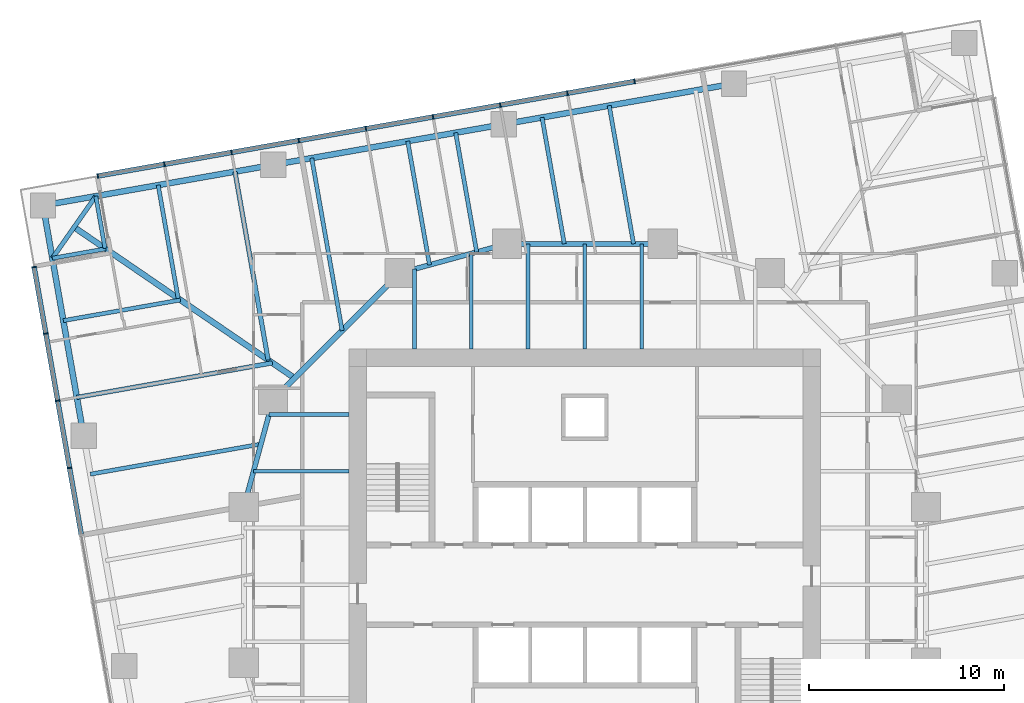
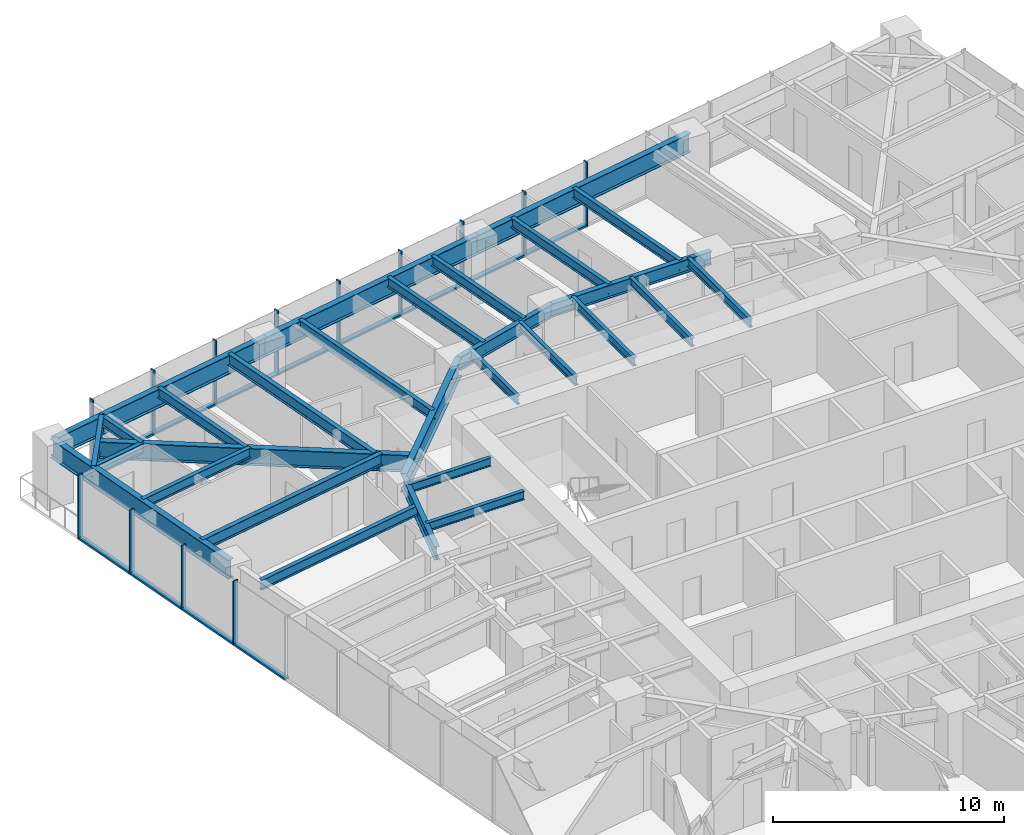
# One storey, part 5 of 14: 29 beams, 25 members, 2 elements without a shape of their own.
"""IFC4 building model written with IfcOpenShell, lengths in metres."""

import ifcopenshell
import ifcopenshell.guid

model = None  # the IFC model being written
_history = None  # IfcOwnerHistory: only IFC2X3 demands one
_inside = {}  # id of a spatial element -> (the spatial element, [elements in it])
_under = {}  # id of a project, library or spatial element -> (it, [spatial elements below it])
_declared = {}  # id of a project -> (the project, [libraries it declares])
_typed = {}  # id of a type object -> (the type object, [elements of that type])
_made_of = {}  # id of a material, layer set ... -> (it, [elements and type objects made of it])


def new_model(schema):
    """Start an empty IFC model of exactly this schema.

    Asked for "IFC4X3", IfcOpenShell would pick the latest addendum, in which some entities
    have other attributes; the version numbers below select the first issue.
    IFC2X3 requires an IfcOwnerHistory on every rooted entity: one is made here for all.
    """
    global model, _history
    if schema == "IFC4X3":
        model = ifcopenshell.file(schema_version=(4, 3, 0, 0))
    else:
        model = ifcopenshell.file(schema=schema)
    _inside.clear()
    _under.clear()
    _declared.clear()
    _typed.clear()
    _made_of.clear()
    _history = None
    if model.schema == "IFC2X3":
        org = make("IfcOrganization", Name="unknown")
        user = make(
            "IfcPersonAndOrganization",
            ThePerson=make("IfcPerson", FamilyName="unknown"),
            TheOrganization=org,
        )
        app = make(
            "IfcApplication",
            ApplicationDeveloper=org,
            Version="unknown",
            ApplicationFullName="unknown",
            ApplicationIdentifier="unknown",
        )
        _history = make(
            "IfcOwnerHistory",
            OwningUser=user,
            OwningApplication=app,
            ChangeAction="ADDED",
            CreationDate=0,
        )
    return model


def make(cls, **values):
    """One entity of the class cls with the attributes given. An attribute that is None is left unset."""
    return model.create_entity(
        cls, **{name: value for name, value in values.items() if value is not None}
    )


def rooted(cls, **values):
    """An entity with a GlobalId (a new one), such as an element, a storey or a relation."""
    return make(cls, GlobalId=ifcopenshell.guid.new(), OwnerHistory=_history, **values)


def si_unit(unit_type, name, prefix=None):
    """IfcSIUnit, for example si_unit("LENGTHUNIT", "METRE", prefix="MILLI")."""
    return make("IfcSIUnit", UnitType=unit_type, Prefix=prefix, Name=name)


def assignment(units):
    """IfcUnitAssignment: the units of a project."""
    return None if units is None else make("IfcUnitAssignment", Units=units)


def point(xyz):
    """IfcCartesianPoint."""
    return None if xyz is None else make("IfcCartesianPoint", Coordinates=xyz)


def direction(xyz):
    """IfcDirection."""
    return None if xyz is None else make("IfcDirection", DirectionRatios=xyz)


def frame(location, z_axis=None, x_axis=None):
    """IfcAxis2Placement3D, a coordinate frame: its origin and axes. An axis left out is left unset."""
    return make(
        "IfcAxis2Placement3D",
        Location=point(location),
        Axis=direction(z_axis),
        RefDirection=direction(x_axis),
    )


def frame_2d(location, x_axis=None):
    """IfcAxis2Placement2D, a coordinate frame in the plane: its origin and x axis."""
    return make(
        "IfcAxis2Placement2D", Location=point(location), RefDirection=direction(x_axis)
    )


def origin():
    """The frame at (0, 0, 0) with its axes left unset."""
    return frame((0.0, 0.0, 0.0))


def origin_2d():
    """The frame at (0, 0) in the plane with its x axis left unset."""
    return frame_2d((0.0, 0.0))


def place(relative_to, where):
    """IfcLocalPlacement: puts the frame where relative to a parent placement (None: the world)."""
    return make(
        "IfcLocalPlacement", PlacementRelTo=relative_to, RelativePlacement=where
    )


def context(
    kind, dimensions, precision=None, world=None, true_north=None, identifier=None
):
    """IfcGeometricRepresentationContext, for example the 3D "Model" context."""
    return make(
        "IfcGeometricRepresentationContext",
        ContextIdentifier=identifier,
        ContextType=kind,
        CoordinateSpaceDimension=dimensions,
        Precision=precision,
        WorldCoordinateSystem=world,
        TrueNorth=true_north,
    )


def subcontext(parent, identifier, kind, view, scale=None):
    """IfcGeometricRepresentationSubContext, for example "Body" below "Model"."""
    return make(
        "IfcGeometricRepresentationSubContext",
        ContextIdentifier=identifier,
        ContextType=kind,
        ParentContext=parent,
        TargetScale=scale,
        TargetView=view,
    )


def project(units=None, contexts=None):
    """IfcProject with its units and contexts."""
    return rooted(
        "IfcProject",
        Name="project",
        RepresentationContexts=contexts,
        UnitsInContext=assignment(units),
    )


def spatial(cls, under=None, at=None, **own):
    """A site, building, storey or space (cls), placed at a placement, below another one or the project."""
    s = rooted(cls, ObjectPlacement=at, **own)
    if under is not None:
        _under.setdefault(under.id(), (under, []))[1].append(s)
    return s


def profile(cls, at=None, kind="AREA", **sizes):
    """A parametric profile (cls). Its sizes go by their IFC names, for example OverallWidth=200.0."""
    return make(cls, ProfileType=kind, Position=at, **sizes)


def rectangle(**sizes):
    """IfcRectangleProfileDef."""
    return profile("IfcRectangleProfileDef", **sizes)


def i_section(**sizes):
    """IfcIShapeProfileDef."""
    return profile("IfcIShapeProfileDef", **sizes)


def extrude(swept, where, along, depth):
    """IfcExtrudedAreaSolid: the profile swept, set in the frame where, extruded along a direction by depth."""
    return make(
        "IfcExtrudedAreaSolid",
        SweptArea=swept,
        Position=where,
        ExtrudedDirection=direction(along),
        Depth=depth,
    )


def shape(context_of_items, identifier, shape_type, items):
    """IfcShapeRepresentation: the items that make up one representation, for example the "Body"."""
    return make(
        "IfcShapeRepresentation",
        ContextOfItems=context_of_items,
        RepresentationIdentifier=identifier,
        RepresentationType=shape_type,
        Items=items,
    )


def material(Name=None, Category=None):
    """IfcMaterial."""
    return make("IfcMaterial", Name=Name, Category=Category)


def material_profile(
    of_material, cross_section, Name=None, Category=None, Priority=None
):
    """IfcMaterialProfile: a cross section and its material."""
    return make(
        "IfcMaterialProfile",
        Name=Name,
        Material=of_material,
        Profile=cross_section,
        Priority=Priority,
        Category=Category,
    )


def profile_set(profiles, Name=None, composite=None):
    """IfcMaterialProfileSet."""
    return make(
        "IfcMaterialProfileSet",
        Name=Name,
        MaterialProfiles=profiles,
        CompositeProfile=composite,
    )


def made_of(thing, what):
    """Note that an element or type object is made of a material, layer set ...; save() writes the relation."""
    if what is not None:
        _made_of.setdefault(what.id(), (what, []))[1].append(thing)
    return thing


def type_object(cls, material=None, **own):
    """A type object (cls), such as IfcWallType, which elements share."""
    return made_of(rooted(cls, **own), material)


def element(
    cls,
    number,
    at=None,
    inside=None,
    cuts=None,
    type_object=None,
    material=None,
    context=None,
    identifier="Body",
    shape_type=None,
    held_by="IfcProductDefinitionShape",
    body=None,
    shapes=None,
    **own,
):
    """One element of the class cls, such as IfcWall. Its Tag is "e" and its number.

    at: its placement. inside: the storey or other place that contains it. cuts: it is an
    opening in that element (IfcRelVoidsElement). A single representation is given by context,
    identifier, shape_type and body (its items); several are given by shapes. held_by: the class
    of the entity that holds the representations. save() writes the other relations.
    """
    e = rooted(cls, Tag="e%d" % number, ObjectPlacement=at, **own)
    if body is not None:
        shapes = [shape(context, identifier, shape_type, body)]
    if shapes is not None:
        e.Representation = make(held_by, Representations=shapes)
    if inside is not None:
        _inside.setdefault(inside.id(), (inside, []))[1].append(e)
    if cuts is not None:
        rooted(
            "IfcRelVoidsElement", RelatingBuildingElement=cuts, RelatedOpeningElement=e
        )
    if type_object is not None:
        _typed.setdefault(type_object.id(), (type_object, []))[1].append(e)
    return made_of(e, material)


def aggregate(whole, parts):
    """IfcRelAggregates: a whole, such as a stair, and the parts it consists of."""
    return rooted("IfcRelAggregates", RelatingObject=whole, RelatedObjects=parts)


def save(model, path):
    """Write the relations noted so far, then the file.

    IfcRelAggregates (storeys below a building ...), IfcRelContainedInSpatialStructure (elements
    in a storey), IfcRelDefinesByType, IfcRelAssociatesMaterial and IfcRelDeclares: one each for
    every whole, place, type object, material and project.
    """
    for whole, parts in _under.values():
        aggregate(whole, parts)
    for where, things in _inside.values():
        rooted(
            "IfcRelContainedInSpatialStructure",
            RelatedElements=things,
            RelatingStructure=where,
        )
    for kind, things in _typed.values():
        rooted("IfcRelDefinesByType", RelatedObjects=things, RelatingType=kind)
    for what, things in _made_of.values():
        rooted("IfcRelAssociatesMaterial", RelatedObjects=things, RelatingMaterial=what)
    for by, libraries in _declared.values():
        rooted("IfcRelDeclares", RelatingContext=by, RelatedDefinitions=libraries)
    model.write(path)


model = new_model("IFC4")

# Units and contexts
model_context = context("Model", 3, precision=1e-05, world=origin(), true_north=direction((0.0, 1.0)))
body_context = subcontext(model_context, "Body", "Model", "MODEL_VIEW")
ifc_project = project(units=[si_unit("LENGTHUNIT", "METRE"), si_unit("AREAUNIT", "SQUARE_METRE"), si_unit("VOLUMEUNIT", "CUBIC_METRE"), si_unit("PLANEANGLEUNIT", "RADIAN"), si_unit("MASSUNIT", "GRAM", prefix="KILO")], contexts=[model_context])

# Site, building, storey
site_placement = place(None, origin())
site = spatial("IfcSite", under=ifc_project, at=site_placement, CompositionType="ELEMENT")
building_placement = place(site_placement, origin())
building = spatial("IfcBuilding", under=site, at=building_placement, Name="Torsade Residences", CompositionType="ELEMENT")
storey_placement = place(building_placement, frame((0.0, 0.0, 79.39990234375)))
storey = spatial("IfcBuildingStorey", under=building, at=storey_placement, Name="L21", CompositionType="ELEMENT", Elevation=79.39990234375)

# Beams
ifc_material_1 = material(Name="Steel grade 300", Category="steel")
ifc_material_profile_1 = material_profile(ifc_material_1, i_section(OverallWidth=0.300048828125, OverallDepth=0.89990234375, WebThickness=0.011962890625, FlangeThickness=0.02490234375, at=origin_2d()), Name="900WB175")
ifc_profile_set_1 = profile_set([ifc_material_profile_1], Name="Steel grade 300")
beam_type_1 = type_object("IfcBeamType", Name="CORNER GIRDER 900WB175", PredefinedType="BEAM", material=ifc_profile_set_1)
beam_1_placement = place(storey_placement, frame((13.7900390625, 48.3525390625, 2.800048828125), z_axis=(0.825279313977, -0.564724759437, 0.0), x_axis=(0.564724759437, 0.825279313977, 0.0)))
element("IfcBeam", 1, at=beam_1_placement, inside=storey, type_object=beam_type_1, Name="Corner girder 13 L22", PredefinedType="BEAM", context=body_context, shape_type="SweptSolid", body=[
    extrude(i_section(OverallWidth=0.300048828125, OverallDepth=0.89990234375, WebThickness=0.011962890625, FlangeThickness=0.02490234375, at=origin_2d()), origin(), (0.0, 0.0, 1.0), 13.7138671875),
])
ifc_material_2 = material(Name="Steel grade 300", Category="steel")
ifc_material_profile_2 = material_profile(ifc_material_2, i_section(OverallWidth=0.22802734375, OverallDepth=0.60205078125, WebThickness=0.010498046875, FlangeThickness=0.014892578125, FilletRadius=0.013916015625, at=origin_2d()), Name="610UB101")
ifc_profile_set_2 = profile_set([ifc_material_profile_2], Name="Steel grade 300")
beam_type_2 = type_object("IfcBeamType", Name="CORNER TRIMMER 610UB101", PredefinedType="BEAM", material=ifc_profile_set_2)
beam_2_placement = place(storey_placement, frame((12.674560546875, 46.759521484375, 2.94921875), z_axis=(0.573576092373, 0.819152285145, 0.0), x_axis=(-0.819152285145, 0.573576092373, 0.0)))
element("IfcBeam", 2, at=beam_2_placement, inside=storey, type_object=beam_type_2, Name="Corner trimmer 13 L22", PredefinedType="BEAM", context=body_context, shape_type="SweptSolid", body=[
    extrude(i_section(OverallWidth=0.22802734375, OverallDepth=0.60205078125, WebThickness=0.010498046875, FlangeThickness=0.014892578125, FilletRadius=0.013916015625, at=origin_2d()), origin(), (0.0, 0.0, 1.0), 3.88916015625),
])

# Curtain wall, members
ifc_material_3 = material(Name="Aluminium and glass", Category="aluminium")
curtain_wall_type = type_object("IfcCurtainWallType", Name="FRITTED GLASS CURTAIN WALL LOW ZONE", PredefinedType="NOTDEFINED", material=ifc_material_3)
curtain_wall_1_placement = place(storey_placement, origin())
curtain_wall_1 = element("IfcCurtainWall", 3, at=curtain_wall_1_placement, inside=storey, type_object=curtain_wall_type, Name="Curtain wall L21 face 7", PredefinedType="NOTDEFINED")
ifc_material_4 = material(Name="Aluminium mullion", Category="aluminium")
ifc_material_profile_3 = material_profile(ifc_material_4, rectangle(XDim=0.25, YDim=0.06494140625, at=origin_2d()), Name="CURTAIN WALL MULLION 250x65")
ifc_profile_set_3 = profile_set([ifc_material_profile_3], Name="Aluminium mullion")
member_type_1 = type_object("IfcMemberType", Name="CURTAIN WALL MULLION 250x65", PredefinedType="MULLION", material=ifc_profile_set_3)
member_1_placement = place(storey_placement, frame((42.552490234375, 55.835693359375, 0.0), z_axis=(0.0, 0.0, 1.0), x_axis=(0.173648192638, -0.984807750372, 0.0)))
member_1 = element("IfcMember", 4, at=member_1_placement, type_object=member_type_1, Name="Mullion 5", PredefinedType="MULLION", context=body_context, shape_type="SweptSolid", body=[
    extrude(rectangle(XDim=0.25, YDim=0.06494140625, at=origin_2d()), origin(), (0.0, 0.0, 1.0), 3.400146484375),
])
member_2_placement = place(storey_placement, frame((39.105712890625, 55.22802734375, 0.0), z_axis=(0.0, 0.0, 1.0), x_axis=(0.173648192638, -0.984807750372, 0.0)))
member_2 = element("IfcMember", 5, at=member_2_placement, type_object=member_type_1, Name="Mullion 6", PredefinedType="MULLION", context=body_context, shape_type="SweptSolid", body=[
    extrude(rectangle(XDim=0.25, YDim=0.06494140625, at=origin_2d()), origin(), (0.0, 0.0, 1.0), 3.400146484375),
])
member_3_placement = place(storey_placement, frame((35.65869140625, 54.6201171875, 0.0), z_axis=(0.0, 0.0, 1.0), x_axis=(0.173648192638, -0.984807750372, 0.0)))
member_3 = element("IfcMember", 6, at=member_3_placement, type_object=member_type_1, Name="Mullion 7", PredefinedType="MULLION", context=body_context, shape_type="SweptSolid", body=[
    extrude(rectangle(XDim=0.25, YDim=0.06494140625, at=origin_2d()), origin(), (0.0, 0.0, 1.0), 3.400146484375),
])
member_4_placement = place(storey_placement, frame((32.2119140625, 54.012451171875, 0.0), z_axis=(0.0, 0.0, 1.0), x_axis=(0.173648192638, -0.984807750372, 0.0)))
member_4 = element("IfcMember", 7, at=member_4_placement, type_object=member_type_1, Name="Mullion 8", PredefinedType="MULLION", context=body_context, shape_type="SweptSolid", body=[
    extrude(rectangle(XDim=0.25, YDim=0.06494140625, at=origin_2d()), origin(), (0.0, 0.0, 1.0), 3.400146484375),
])
member_5_placement = place(storey_placement, frame((28.76513671875, 53.404541015625, 0.0), z_axis=(0.0, 0.0, 1.0), x_axis=(0.173648192638, -0.984807750372, 0.0)))
member_5 = element("IfcMember", 8, at=member_5_placement, type_object=member_type_1, Name="Mullion 9", PredefinedType="MULLION", context=body_context, shape_type="SweptSolid", body=[
    extrude(rectangle(XDim=0.25, YDim=0.06494140625, at=origin_2d()), origin(), (0.0, 0.0, 1.0), 3.400146484375),
])
member_6_placement = place(storey_placement, frame((25.318359375, 52.796875, 0.0), z_axis=(0.0, 0.0, 1.0), x_axis=(0.173648192638, -0.984807750372, 0.0)))
member_6 = element("IfcMember", 9, at=member_6_placement, type_object=member_type_1, Name="Mullion 10", PredefinedType="MULLION", context=body_context, shape_type="SweptSolid", body=[
    extrude(rectangle(XDim=0.25, YDim=0.06494140625, at=origin_2d()), origin(), (0.0, 0.0, 1.0), 3.400146484375),
])
member_7_placement = place(storey_placement, frame((21.87158203125, 52.189208984375, 0.0), z_axis=(0.0, 0.0, 1.0), x_axis=(0.173648192638, -0.984807750372, 0.0)))
member_7 = element("IfcMember", 10, at=member_7_placement, type_object=member_type_1, Name="Mullion 11", PredefinedType="MULLION", context=body_context, shape_type="SweptSolid", body=[
    extrude(rectangle(XDim=0.25, YDim=0.06494140625, at=origin_2d()), origin(), (0.0, 0.0, 1.0), 3.400146484375),
])
member_8_placement = place(storey_placement, frame((18.424560546875, 51.581298828125, 0.0), z_axis=(0.0, 0.0, 1.0), x_axis=(0.173648192638, -0.984807750372, 0.0)))
member_8 = element("IfcMember", 11, at=member_8_placement, type_object=member_type_1, Name="Mullion 12", PredefinedType="MULLION", context=body_context, shape_type="SweptSolid", body=[
    extrude(rectangle(XDim=0.25, YDim=0.06494140625, at=origin_2d()), origin(), (0.0, 0.0, 1.0), 3.400146484375),
])
member_9_placement = place(storey_placement, frame((15.009765625, 50.979248046875, 0.0), z_axis=(0.0, 0.0, 1.0), x_axis=(0.173648192638, -0.984807750372, 0.0)))
member_9 = element("IfcMember", 12, at=member_9_placement, type_object=member_type_1, Name="Mullion 13", PredefinedType="MULLION", context=body_context, shape_type="SweptSolid", body=[
    extrude(rectangle(XDim=0.25, YDim=0.06494140625, at=origin_2d()), origin(), (0.0, 0.0, 1.0), 3.400146484375),
])

curtain_wall_2_placement = place(storey_placement, origin())
curtain_wall_2 = element("IfcCurtainWall", 13, at=curtain_wall_2_placement, inside=storey, type_object=curtain_wall_type, Name="Curtain wall L21 face 10", PredefinedType="NOTDEFINED")
member_10_placement = place(storey_placement, frame((11.73876953125, 46.307861328125, 0.0), z_axis=(0.0, 0.0, 1.0), x_axis=(0.984807750372, 0.173648192638, 0.0)))
member_10 = element("IfcMember", 14, at=member_10_placement, type_object=member_type_1, Name="Mullion 1", PredefinedType="MULLION", context=body_context, shape_type="SweptSolid", body=[
    extrude(rectangle(XDim=0.25, YDim=0.06494140625, at=origin_2d()), origin(), (0.0, 0.0, 1.0), 3.400146484375),
])
member_11_placement = place(storey_placement, frame((12.341064453125, 42.892822265625, 0.0), z_axis=(0.0, 0.0, 1.0), x_axis=(0.984807750372, 0.173648192638, 0.0)))
member_11 = element("IfcMember", 15, at=member_11_placement, type_object=member_type_1, Name="Mullion 2", PredefinedType="MULLION", context=body_context, shape_type="SweptSolid", body=[
    extrude(rectangle(XDim=0.25, YDim=0.06494140625, at=origin_2d()), origin(), (0.0, 0.0, 1.0), 3.400146484375),
])
member_12_placement = place(storey_placement, frame((12.94873046875, 39.446044921875, 0.0), z_axis=(0.0, 0.0, 1.0), x_axis=(0.984807750372, 0.173648192638, 0.0)))
member_12 = element("IfcMember", 16, at=member_12_placement, type_object=member_type_1, Name="Mullion 3", PredefinedType="MULLION", context=body_context, shape_type="SweptSolid", body=[
    extrude(rectangle(XDim=0.25, YDim=0.06494140625, at=origin_2d()), origin(), (0.0, 0.0, 1.0), 3.400146484375),
])
member_13_placement = place(storey_placement, frame((13.556396484375, 35.999267578125, 0.0), z_axis=(0.0, 0.0, 1.0), x_axis=(0.984807750372, 0.173648192638, 0.0)))
member_13 = element("IfcMember", 17, at=member_13_placement, type_object=member_type_1, Name="Mullion 4", PredefinedType="MULLION", context=body_context, shape_type="SweptSolid", body=[
    extrude(rectangle(XDim=0.25, YDim=0.06494140625, at=origin_2d()), origin(), (0.0, 0.0, 1.0), 3.400146484375),
])

# Member
ifc_material_5 = material(Name="Aluminium transom", Category="aluminium")
ifc_material_profile_4 = material_profile(ifc_material_5, rectangle(XDim=0.25, YDim=0.10009765625, at=origin_2d()), Name="CURTAIN WALL TRANSOM 250x100")
ifc_profile_set_4 = profile_set([ifc_material_profile_4], Name="Aluminium transom")
member_type_2 = type_object("IfcMemberType", Name="CURTAIN WALL TRANSOM 250x100", PredefinedType="USERDEFINED", material=ifc_profile_set_4)
member_14_placement = place(storey_placement, frame((42.5205078125, 55.830078125, 0.050048828125), z_axis=(-0.984810021497, -0.17363531196, 0.0), x_axis=(0.17363531196, -0.984810021497, 0.0)))
member_14 = element("IfcMember", 18, at=member_14_placement, type_object=member_type_2, Name="Transom 5.1", ObjectType="TRANSOM", PredefinedType="USERDEFINED", context=body_context, shape_type="SweptSolid", body=[
    extrude(rectangle(XDim=0.25, YDim=0.10009765625, at=origin_2d()), origin(), (0.0, 0.0, 1.0), 3.43505859375),
])

member_15_placement = place(storey_placement, frame((39.07373046875, 55.222412109375, 0.050048828125), z_axis=(-0.98479786563, -0.173704242465, 0.0), x_axis=(0.173704242465, -0.98479786563, 0.0)))
member_15 = element("IfcMember", 19, at=member_15_placement, type_object=member_type_2, Name="Transom 6.1", ObjectType="TRANSOM", PredefinedType="USERDEFINED", context=body_context, shape_type="SweptSolid", body=[
    extrude(rectangle(XDim=0.25, YDim=0.10009765625, at=origin_2d()), origin(), (0.0, 0.0, 1.0), 3.43505859375),
])

member_16_placement = place(storey_placement, frame((35.626708984375, 54.614501953125, 0.050048828125), z_axis=(-0.984810021497, -0.17363531196, 0.0), x_axis=(0.17363531196, -0.984810021497, 0.0)))
member_16 = element("IfcMember", 20, at=member_16_placement, type_object=member_type_2, Name="Transom 7.1", ObjectType="TRANSOM", PredefinedType="USERDEFINED", context=body_context, shape_type="SweptSolid", body=[
    extrude(rectangle(XDim=0.25, YDim=0.10009765625, at=origin_2d()), origin(), (0.0, 0.0, 1.0), 3.43505859375),
])

member_17_placement = place(storey_placement, frame((32.179931640625, 54.0068359375, 0.050048828125), z_axis=(-0.984810021497, -0.17363531196, 0.0), x_axis=(0.17363531196, -0.984810021497, 0.0)))
member_17 = element("IfcMember", 21, at=member_17_placement, type_object=member_type_2, Name="Transom 8.1", ObjectType="TRANSOM", PredefinedType="USERDEFINED", context=body_context, shape_type="SweptSolid", body=[
    extrude(rectangle(XDim=0.25, YDim=0.10009765625, at=origin_2d()), origin(), (0.0, 0.0, 1.0), 3.43505859375),
])

member_18_placement = place(storey_placement, frame((28.733154296875, 53.39892578125, 0.050048828125), z_axis=(-0.984810021497, -0.17363531196, 0.0), x_axis=(0.17363531196, -0.984810021497, 0.0)))
member_18 = element("IfcMember", 22, at=member_18_placement, type_object=member_type_2, Name="Transom 9.1", ObjectType="TRANSOM", PredefinedType="USERDEFINED", context=body_context, shape_type="SweptSolid", body=[
    extrude(rectangle(XDim=0.25, YDim=0.10009765625, at=origin_2d()), origin(), (0.0, 0.0, 1.0), 3.43505859375),
])

member_19_placement = place(storey_placement, frame((25.286376953125, 52.791259765625, 0.050048828125), z_axis=(-0.984810021497, -0.17363531196, 0.0), x_axis=(0.17363531196, -0.984810021497, 0.0)))
member_19 = element("IfcMember", 23, at=member_19_placement, type_object=member_type_2, Name="Transom 10.1", ObjectType="TRANSOM", PredefinedType="USERDEFINED", context=body_context, shape_type="SweptSolid", body=[
    extrude(rectangle(XDim=0.25, YDim=0.10009765625, at=origin_2d()), origin(), (0.0, 0.0, 1.0), 3.43505859375),
])

member_20_placement = place(storey_placement, frame((21.839599609375, 52.18359375, 0.050048828125), z_axis=(-0.98479786563, -0.173704242465, 0.0), x_axis=(0.173704242465, -0.98479786563, 0.0)))
member_20 = element("IfcMember", 24, at=member_20_placement, type_object=member_type_2, Name="Transom 11.1", ObjectType="TRANSOM", PredefinedType="USERDEFINED", context=body_context, shape_type="SweptSolid", body=[
    extrude(rectangle(XDim=0.25, YDim=0.10009765625, at=origin_2d()), origin(), (0.0, 0.0, 1.0), 3.43505859375),
])

member_21_placement = place(storey_placement, frame((18.392578125, 51.57568359375, 0.050048828125), z_axis=(-0.984808830466, -0.173642067011, 0.0), x_axis=(0.173642067011, -0.984808830466, 0.0)))
member_21 = element("IfcMember", 25, at=member_21_placement, type_object=member_type_2, Name="Transom 12.1", ObjectType="TRANSOM", PredefinedType="USERDEFINED", context=body_context, shape_type="SweptSolid", body=[
    extrude(rectangle(XDim=0.25, YDim=0.10009765625, at=origin_2d()), origin(), (0.0, 0.0, 1.0), 3.402587890625),
])

aggregate(curtain_wall_1, [member_1, member_2, member_3, member_4, member_5, member_6, member_7, member_8, member_9, member_14, member_15, member_16, member_17, member_18, member_19, member_20, member_21])

member_22_placement = place(storey_placement, frame((11.744384765625, 46.275634765625, 0.050048828125), z_axis=(0.173654337918, -0.984806666774, 0.0), x_axis=(0.984806666774, 0.173654337918, 0.0)))
member_22 = element("IfcMember", 26, at=member_22_placement, type_object=member_type_2, Name="Transom 1.1", ObjectType="TRANSOM", PredefinedType="USERDEFINED", context=body_context, shape_type="SweptSolid", body=[
    extrude(rectangle(XDim=0.25, YDim=0.10009765625, at=origin_2d()), origin(), (0.0, 0.0, 1.0), 3.40234375),
])

member_23_placement = place(storey_placement, frame((12.3466796875, 42.86083984375, 0.050048828125), z_axis=(0.17363531196, -0.984810021497, 0.0), x_axis=(0.984810021497, 0.17363531196, 0.0)))
member_23 = element("IfcMember", 27, at=member_23_placement, type_object=member_type_2, Name="Transom 2.1", ObjectType="TRANSOM", PredefinedType="USERDEFINED", context=body_context, shape_type="SweptSolid", body=[
    extrude(rectangle(XDim=0.25, YDim=0.10009765625, at=origin_2d()), origin(), (0.0, 0.0, 1.0), 3.43505859375),
])

member_24_placement = place(storey_placement, frame((12.954345703125, 39.4140625, 0.050048828125), z_axis=(0.17363531196, -0.984810021497, 0.0), x_axis=(0.984810021497, 0.17363531196, 0.0)))
member_24 = element("IfcMember", 28, at=member_24_placement, type_object=member_type_2, Name="Transom 3.1", ObjectType="TRANSOM", PredefinedType="USERDEFINED", context=body_context, shape_type="SweptSolid", body=[
    extrude(rectangle(XDim=0.25, YDim=0.10009765625, at=origin_2d()), origin(), (0.0, 0.0, 1.0), 3.43505859375),
])

member_25_placement = place(storey_placement, frame((13.562255859375, 35.96728515625, 0.050048828125), z_axis=(0.17363531196, -0.984810021497, 0.0), x_axis=(0.984810021497, 0.17363531196, 0.0)))
member_25 = element("IfcMember", 29, at=member_25_placement, type_object=member_type_2, Name="Transom 4.1", ObjectType="TRANSOM", PredefinedType="USERDEFINED", context=body_context, shape_type="SweptSolid", body=[
    extrude(rectangle(XDim=0.25, YDim=0.10009765625, at=origin_2d()), origin(), (0.0, 0.0, 1.0), 3.43505859375),
])

aggregate(curtain_wall_2, [member_10, member_11, member_12, member_13, member_22, member_23, member_24, member_25])

# Beams
ifc_material_6 = material(Name="Steel grade 300", Category="steel")
ifc_material_profile_5 = material_profile(ifc_material_6, i_section(OverallWidth=0.300048828125, OverallDepth=1.0, WebThickness=0.01611328125, FlangeThickness=0.028076171875, at=origin_2d()), Name="1000WB215")
ifc_profile_set_5 = profile_set([ifc_material_profile_5], Name="Steel grade 300")
beam_type_3 = type_object("IfcBeamType", Name="EDGE BEAM 1000WB215", PredefinedType="SPANDREL", material=ifc_profile_set_5)
beam_3_placement = place(storey_placement, frame((47.650146484375, 55.71923828125, 2.75), z_axis=(-0.984808127031, -0.173646056486, 0.0), x_axis=(0.173646056486, -0.984808127031, 0.0)))
element("IfcBeam", 30, at=beam_3_placement, inside=storey, type_object=beam_type_3, Name="Edge beam 10 L22", PredefinedType="SPANDREL", context=body_context, shape_type="SweptSolid", body=[
    extrude(i_section(OverallWidth=0.300048828125, OverallDepth=1.0, WebThickness=0.01611328125, FlangeThickness=0.028076171875, at=origin_2d()), origin(), (0.0, 0.0, 1.0), 12.0),
])
beam_4_placement = place(storey_placement, frame((35.83251953125, 53.635498046875, 2.75), z_axis=(-0.984805261243, -0.173662308598, 0.0), x_axis=(0.173662308598, -0.984805261243, 0.0)))
element("IfcBeam", 31, at=beam_4_placement, inside=storey, type_object=beam_type_3, Name="Edge beam 11 L22", PredefinedType="SPANDREL", context=body_context, shape_type="SweptSolid", body=[
    extrude(i_section(OverallWidth=0.300048828125, OverallDepth=1.0, WebThickness=0.01611328125, FlangeThickness=0.028076171875, at=origin_2d()), origin(), (0.0, 0.0, 1.0), 12.000244140625),
])
for number, where, z_axis, x_axis, name in (
    (32, (24.0146484375, 51.551513671875, 2.75), (-0.984808127031, -0.173646056486, 0.0), (0.173646056486, -0.984808127031, 0.0), "Edge beam 12 L22"),
    (33, (12.197021484375, 49.4677734375, 2.75), (0.173646056486, -0.984808127031, 0.0), (0.984808127031, 0.173646056486, 0.0), "Edge beam 13 L22"),
):
    element("IfcBeam", number, at=place(storey_placement, frame(where, z_axis=z_axis, x_axis=x_axis)), inside=storey, type_object=beam_type_3, Name=name, PredefinedType="SPANDREL", context=body_context, shape_type="SweptSolid", body=[
        extrude(i_section(OverallWidth=0.300048828125, OverallDepth=1.0, WebThickness=0.01611328125, FlangeThickness=0.028076171875, at=origin_2d()), origin(), (0.0, 0.0, 1.0), 12.0),
    ])
ifc_material_7 = material(Name="Steel grade 300", Category="steel")
ifc_material_profile_6 = material_profile(ifc_material_7, i_section(OverallWidth=0.18994140625, OverallDepth=0.4541015625, WebThickness=0.008544921875, FlangeThickness=0.0126953125, FilletRadius=0.011474609375, at=origin_2d()), Name="460UB67.1")
ifc_profile_set_6 = profile_set([ifc_material_profile_6], Name="Steel grade 300")
beam_type_4 = type_object("IfcBeamType", Name="INNER FLOOR BEAM 460UB67.1", PredefinedType="JOIST", material=ifc_profile_set_6)
beam_5_placement = place(storey_placement, frame((31.262451171875, 42.10009765625, 3.023193359375), z_axis=(0.0, 1.0, 0.0), x_axis=(-1.0, 0.0, 0.0)))
element("IfcBeam", 34, at=beam_5_placement, inside=storey, type_object=beam_type_4, Name="Inner floor beam IN01 L22", PredefinedType="JOIST", context=body_context, shape_type="SweptSolid", body=[
    extrude(i_section(OverallWidth=0.18994140625, OverallDepth=0.4541015625, WebThickness=0.008544921875, FlangeThickness=0.0126953125, FilletRadius=0.011474609375, at=origin_2d()), origin(), (0.0, 0.0, 1.0), 4.10791015625),
])
beam_6_placement = place(storey_placement, frame((34.175048828125, 42.10009765625, 3.023193359375), z_axis=(0.0, 1.0, 0.0), x_axis=(-1.0, 0.0, 0.0)))
element("IfcBeam", 35, at=beam_6_placement, inside=storey, type_object=beam_type_4, Name="Inner floor beam IN02 L22", PredefinedType="JOIST", context=body_context, shape_type="SweptSolid", body=[
    extrude(i_section(OverallWidth=0.18994140625, OverallDepth=0.4541015625, WebThickness=0.008544921875, FlangeThickness=0.0126953125, FilletRadius=0.011474609375, at=origin_2d()), origin(), (0.0, 0.0, 1.0), 4.902099609375),
])
for number, where, z_axis, x_axis, name in (
    (36, (37.08740234375, 42.10009765625, 3.023193359375), (0.0, 1.0, 0.0), (-1.0, 0.0, 0.0), "Inner floor beam IN03 L22"),
    (37, (40.0, 42.10009765625, 3.023193359375), (0.0, 1.0, 0.0), (-1.0, 0.0, 0.0), "Inner floor beam IN04 L22"),
    (38, (42.91259765625, 42.10009765625, 3.023193359375), (0.0, 1.0, 0.0), (-1.0, 0.0, 0.0), "Inner floor beam IN05 L22"),
):
    element("IfcBeam", number, at=place(storey_placement, frame(where, z_axis=z_axis, x_axis=x_axis)), inside=storey, type_object=beam_type_4, Name=name, PredefinedType="JOIST", context=body_context, shape_type="SweptSolid", body=[
        extrude(i_section(OverallWidth=0.18994140625, OverallDepth=0.4541015625, WebThickness=0.008544921875, FlangeThickness=0.0126953125, FilletRadius=0.011474609375, at=origin_2d()), origin(), (0.0, 0.0, 1.0), 5.39990234375),
    ])
beam_7_placement = place(storey_placement, frame((27.89990234375, 38.737548828125, 3.023193359375), z_axis=(-1.0, 0.0, 0.0), x_axis=(0.0, -1.0, 0.0)))
element("IfcBeam", 39, at=beam_7_placement, inside=storey, type_object=beam_type_4, Name="Inner floor beam IW01 L22", PredefinedType="JOIST", context=body_context, shape_type="SweptSolid", body=[
    extrude(i_section(OverallWidth=0.18994140625, OverallDepth=0.4541015625, WebThickness=0.008544921875, FlangeThickness=0.0126953125, FilletRadius=0.011474609375, at=origin_2d()), origin(), (0.0, 0.0, 1.0), 4.10791015625),
])
beam_8_placement = place(storey_placement, frame((27.89990234375, 35.824951171875, 3.023193359375), z_axis=(-1.0, 0.0, 0.0), x_axis=(0.0, -1.0, 0.0)))
element("IfcBeam", 40, at=beam_8_placement, inside=storey, type_object=beam_type_4, Name="Inner floor beam IW02 L22", PredefinedType="JOIST", context=body_context, shape_type="SweptSolid", body=[
    extrude(i_section(OverallWidth=0.18994140625, OverallDepth=0.4541015625, WebThickness=0.008544921875, FlangeThickness=0.0126953125, FilletRadius=0.011474609375, at=origin_2d()), origin(), (0.0, 0.0, 1.0), 4.902099609375),
])
ifc_material_8 = material(Name="Steel grade 300", Category="steel")
ifc_material_profile_7 = material_profile(ifc_material_8, i_section(OverallWidth=0.300048828125, OverallDepth=1.0, WebThickness=0.01611328125, FlangeThickness=0.028076171875, at=origin_2d()), Name="1000WB215")
ifc_profile_set_7 = profile_set([ifc_material_profile_7], Name="Steel grade 300")
beam_type_5 = type_object("IfcBeamType", Name="RING CORNER GIRDER 1000WB215", PredefinedType="BEAM", material=ifc_profile_set_7)
beam_9_placement = place(storey_placement, frame((30.5, 46.0, 2.75), z_axis=(-0.707106781187, -0.707106781187, 0.0), x_axis=(0.707106781187, -0.707106781187, 0.0)))
element("IfcBeam", 41, at=beam_9_placement, inside=storey, type_object=beam_type_5, Name="Ring girder IR07 L22", PredefinedType="BEAM", context=body_context, shape_type="SweptSolid", body=[
    extrude(i_section(OverallWidth=0.300048828125, OverallDepth=1.0, WebThickness=0.01611328125, FlangeThickness=0.028076171875, at=origin_2d()), origin(), (0.0, 0.0, 1.0), 9.1923828125),
])
ifc_material_9 = material(Name="Steel grade 300", Category="steel")
ifc_material_profile_8 = material_profile(ifc_material_9, i_section(OverallWidth=0.25, OverallDepth=0.699951171875, WebThickness=0.010009765625, FlangeThickness=0.02001953125, at=origin_2d()), Name="700WB130")
ifc_profile_set_8 = profile_set([ifc_material_profile_8], Name="Steel grade 300")
beam_type_6 = type_object("IfcBeamType", Name="RING GIRDER 700WB130", PredefinedType="BEAM", material=ifc_profile_set_8)
beam_10_placement = place(storey_placement, frame((44.0, 47.5, 2.900146484375), z_axis=(-1.0, 0.0, 0.0), x_axis=(0.0, -1.0, 0.0)))
element("IfcBeam", 42, at=beam_10_placement, inside=storey, type_object=beam_type_6, Name="Ring girder IR05 L22", PredefinedType="BEAM", context=body_context, shape_type="SweptSolid", body=[
    extrude(i_section(OverallWidth=0.25, OverallDepth=0.699951171875, WebThickness=0.010009765625, FlangeThickness=0.02001953125, at=origin_2d()), origin(), (0.0, 0.0, 1.0), 8.0),
])
for number, where, z_axis, x_axis, name in (
    (43, (36.0, 47.5, 2.900146484375), (-0.964763821238, -0.263117405792, 0.0), (0.263117405792, -0.964763821238, 0.0), "Ring girder IR06 L22"),
    (44, (24.0, 39.5, 2.900146484375), (-0.263117405792, -0.964763821238, 0.0), (0.964763821238, -0.263117405792, 0.0), "Ring girder IR08 L22"),
):
    element("IfcBeam", number, at=place(storey_placement, frame(where, z_axis=z_axis, x_axis=x_axis)), inside=storey, type_object=beam_type_6, Name=name, PredefinedType="BEAM", context=body_context, shape_type="SweptSolid", body=[
        extrude(i_section(OverallWidth=0.25, OverallDepth=0.699951171875, WebThickness=0.010009765625, FlangeThickness=0.02001953125, at=origin_2d()), origin(), (0.0, 0.0, 1.0), 5.700927734375),
    ])
ifc_material_10 = material(Name="Steel grade 300", Category="steel")
ifc_material_profile_9 = material_profile(ifc_material_10, i_section(OverallWidth=0.208984375, OverallDepth=0.528076171875, WebThickness=0.009521484375, FlangeThickness=0.01318359375, FilletRadius=0.013916015625, at=origin_2d()), Name="530UB82.0")
ifc_profile_set_9 = profile_set([ifc_material_profile_9], Name="Steel grade 300")
beam_type_7 = type_object("IfcBeamType", Name="SECONDARY BEAM 530UB82.0", PredefinedType="JOIST", material=ifc_profile_set_9)
beam_11_placement = place(storey_placement, frame((41.248779296875, 54.59033203125, 2.986083984375), z_axis=(0.173651855324, -0.984807104535, 0.0), x_axis=(0.984807104535, 0.173651855324, 0.0)))
element("IfcBeam", 45, at=beam_11_placement, inside=storey, type_object=beam_type_7, Name="Floor beam FN05 L22", PredefinedType="JOIST", context=body_context, shape_type="SweptSolid", body=[
    extrude(i_section(OverallWidth=0.208984375, OverallDepth=0.528076171875, WebThickness=0.009521484375, FlangeThickness=0.01318359375, FilletRadius=0.013916015625, at=origin_2d()), origin(), (0.0, 0.0, 1.0), 7.19970703125),
])
beam_12_placement = place(storey_placement, frame((37.802001953125, 53.982666015625, 2.986083984375), z_axis=(0.173647806501, -0.984807818459, 0.0), x_axis=(0.984807818459, 0.173647806501, 0.0)))
element("IfcBeam", 46, at=beam_12_placement, inside=storey, type_object=beam_type_7, Name="Floor beam FN06 L22", PredefinedType="JOIST", context=body_context, shape_type="SweptSolid", body=[
    extrude(i_section(OverallWidth=0.208984375, OverallDepth=0.528076171875, WebThickness=0.009521484375, FlangeThickness=0.01318359375, FilletRadius=0.013916015625, at=origin_2d()), origin(), (0.0, 0.0, 1.0), 6.582763671875),
])
beam_13_placement = place(storey_placement, frame((33.370361328125, 53.201171875, 2.986083984375), z_axis=(0.173655425542, -0.984806474989, 0.0), x_axis=(0.984806474989, 0.173655425542, 0.0)))
element("IfcBeam", 47, at=beam_13_placement, inside=storey, type_object=beam_type_7, Name="Floor beam FN07 L22", PredefinedType="JOIST", context=body_context, shape_type="SweptSolid", body=[
    extrude(i_section(OverallWidth=0.208984375, OverallDepth=0.528076171875, WebThickness=0.009521484375, FlangeThickness=0.01318359375, FilletRadius=0.013916015625, at=origin_2d()), origin(), (0.0, 0.0, 1.0), 6.21826171875),
])
beam_14_placement = place(storey_placement, frame((30.908447265625, 52.76708984375, 2.986083984375), z_axis=(0.17363198078, -0.984810608823, 0.0), x_axis=(0.984810608823, 0.17363198078, 0.0)))
element("IfcBeam", 48, at=beam_14_placement, inside=storey, type_object=beam_type_7, Name="Floor beam FN08 L22", PredefinedType="JOIST", context=body_context, shape_type="SweptSolid", body=[
    extrude(i_section(OverallWidth=0.208984375, OverallDepth=0.528076171875, WebThickness=0.009521484375, FlangeThickness=0.01318359375, FilletRadius=0.013916015625, at=origin_2d()), origin(), (0.0, 0.0, 1.0), 6.4482421875),
])
beam_15_placement = place(storey_placement, frame((25.984375, 51.89892578125, 2.986083984375), z_axis=(0.173639706679, -0.984809246638, 0.0), x_axis=(0.984809246638, 0.173639706679, 0.0)))
element("IfcBeam", 49, at=beam_15_placement, inside=storey, type_object=beam_type_7, Name="Floor beam FN09 L22", PredefinedType="JOIST", context=body_context, shape_type="SweptSolid", body=[
    extrude(i_section(OverallWidth=0.208984375, OverallDepth=0.528076171875, WebThickness=0.009521484375, FlangeThickness=0.01318359375, FilletRadius=0.013916015625, at=origin_2d()), origin(), (0.0, 0.0, 1.0), 8.989990234375),
])
beam_16_placement = place(storey_placement, frame((18.10595703125, 50.509765625, 2.986083984375), z_axis=(0.173629569808, -0.984811033899, 0.0), x_axis=(0.984811033899, 0.173629569808, 0.0)))
element("IfcBeam", 50, at=beam_16_placement, inside=storey, type_object=beam_type_7, Name="Floor beam FN11 L22", PredefinedType="JOIST", context=body_context, shape_type="SweptSolid", body=[
    extrude(i_section(OverallWidth=0.208984375, OverallDepth=0.528076171875, WebThickness=0.009521484375, FlangeThickness=0.01318359375, FilletRadius=0.013916015625, at=origin_2d()), origin(), (0.0, 0.0, 1.0), 5.9013671875),
])
beam_17_placement = place(storey_placement, frame((14.9052734375, 49.9453125, 2.986083984375), z_axis=(0.17364710834, -0.984807941563, 0.0), x_axis=(0.984807941563, 0.17364710834, 0.0)))
element("IfcBeam", 51, at=beam_17_placement, inside=storey, type_object=beam_type_7, Name="Floor beam FN12 L22", PredefinedType="JOIST", context=body_context, shape_type="SweptSolid", body=[
    extrude(i_section(OverallWidth=0.208984375, OverallDepth=0.528076171875, WebThickness=0.009521484375, FlangeThickness=0.01318359375, FilletRadius=0.013916015625, at=origin_2d()), origin(), (0.0, 0.0, 1.0), 2.720458984375),
])
beam_18_placement = place(storey_placement, frame((12.674560546875, 46.759521484375, 2.986083984375), z_axis=(0.984797700832, 0.173705176765, 0.0), x_axis=(-0.173705176765, 0.984797700832, 0.0)))
element("IfcBeam", 52, at=beam_18_placement, inside=storey, type_object=beam_type_7, Name="Floor beam FW01 L22", PredefinedType="JOIST", context=body_context, shape_type="SweptSolid", body=[
    extrude(i_section(OverallWidth=0.208984375, OverallDepth=0.528076171875, WebThickness=0.009521484375, FlangeThickness=0.01318359375, FilletRadius=0.013916015625, at=origin_2d()), origin(), (0.0, 0.0, 1.0), 2.780029296875),
])
beam_19_placement = place(storey_placement, frame((13.239013671875, 43.55908203125, 2.986083984375), z_axis=(0.984809331556, 0.173639225065, 0.0), x_axis=(-0.173639225065, 0.984809331556, 0.0)))
element("IfcBeam", 53, at=beam_19_placement, inside=storey, type_object=beam_type_7, Name="Floor beam FW02 L22", PredefinedType="JOIST", context=body_context, shape_type="SweptSolid", body=[
    extrude(i_section(OverallWidth=0.208984375, OverallDepth=0.528076171875, WebThickness=0.009521484375, FlangeThickness=0.01318359375, FilletRadius=0.013916015625, at=origin_2d()), origin(), (0.0, 0.0, 1.0), 6.100830078125),
])
beam_20_placement = place(storey_placement, frame((14.628173828125, 35.680419921875, 2.986083984375), z_axis=(0.984804296147, 0.173667781384, 0.0), x_axis=(-0.173667781384, 0.984804296147, 0.0)))
element("IfcBeam", 54, at=beam_20_placement, inside=storey, type_object=beam_type_7, Name="Floor beam FW04 L22", PredefinedType="JOIST", context=body_context, shape_type="SweptSolid", body=[
    extrude(i_section(OverallWidth=0.208984375, OverallDepth=0.528076171875, WebThickness=0.009521484375, FlangeThickness=0.01318359375, FilletRadius=0.013916015625, at=origin_2d()), origin(), (0.0, 0.0, 1.0), 8.885986328125),
])
ifc_material_11 = material(Name="Steel grade 300", Category="steel")
ifc_material_profile_10 = material_profile(ifc_material_11, i_section(OverallWidth=0.22900390625, OverallDepth=0.612060546875, WebThickness=0.011962890625, FlangeThickness=0.01953125, FilletRadius=0.013916015625, at=origin_2d()), Name="610UB125")
ifc_profile_set_10 = profile_set([ifc_material_profile_10], Name="Steel grade 300")
beam_type_8 = type_object("IfcBeamType", Name="SECONDARY BEAM 610UB125", PredefinedType="JOIST", material=ifc_profile_set_10)
beam_21_placement = place(storey_placement, frame((22.045166015625, 51.204345703125, 2.944091796875), z_axis=(0.173651961637, -0.984807085789, 0.0), x_axis=(0.984807085789, 0.173651961637, 0.0)))
element("IfcBeam", 55, at=beam_21_placement, inside=storey, type_object=beam_type_8, Name="Floor beam FN10 L22", PredefinedType="JOIST", context=body_context, shape_type="SweptSolid", body=[
    extrude(i_section(OverallWidth=0.22900390625, OverallDepth=0.612060546875, WebThickness=0.011962890625, FlangeThickness=0.01953125, FilletRadius=0.013916015625, at=origin_2d()), origin(), (0.0, 0.0, 1.0), 9.816162109375),
])
beam_22_placement = place(storey_placement, frame((13.93359375, 39.619873046875, 2.944091796875), z_axis=(0.984808397525, 0.173644522411, 0.0), x_axis=(-0.173644522411, 0.984808397525, 0.0)))
element("IfcBeam", 56, at=beam_22_placement, inside=storey, type_object=beam_type_8, Name="Floor beam FW03 L22", PredefinedType="JOIST", context=body_context, shape_type="SweptSolid", body=[
    extrude(i_section(OverallWidth=0.22900390625, OverallDepth=0.612060546875, WebThickness=0.011962890625, FlangeThickness=0.01953125, FilletRadius=0.013916015625, at=origin_2d()), origin(), (0.0, 0.0, 1.0), 10.187744140625),
])

save(model, "model.ifc")
